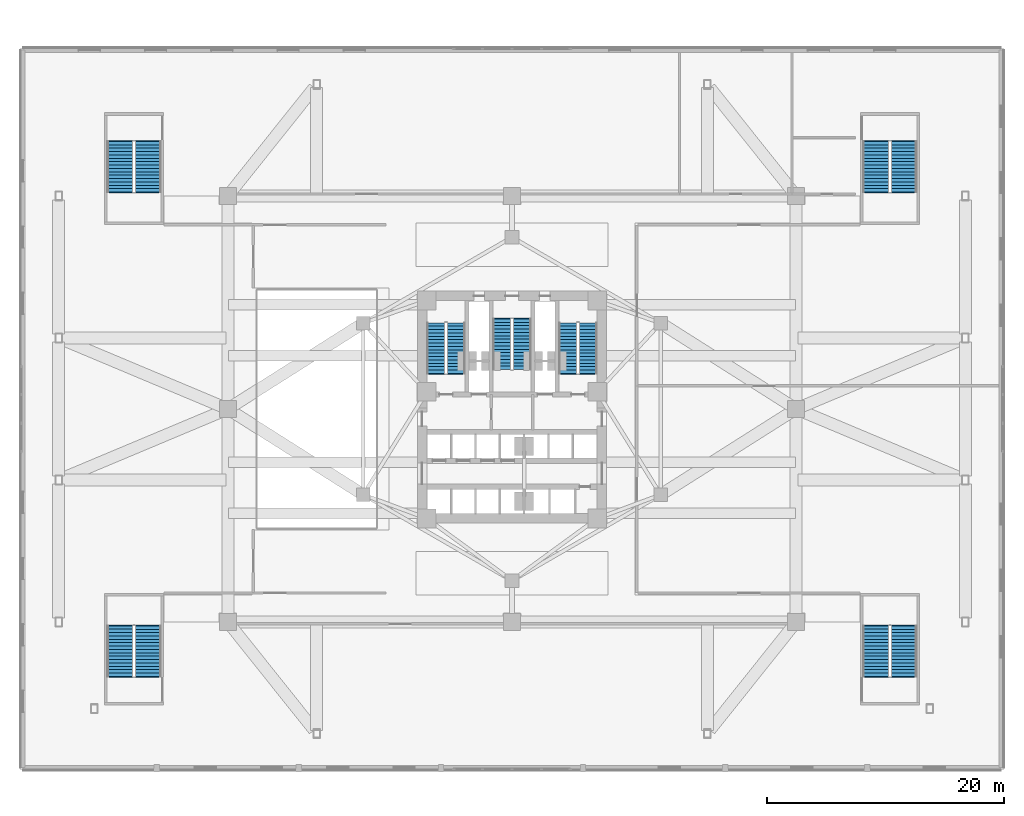
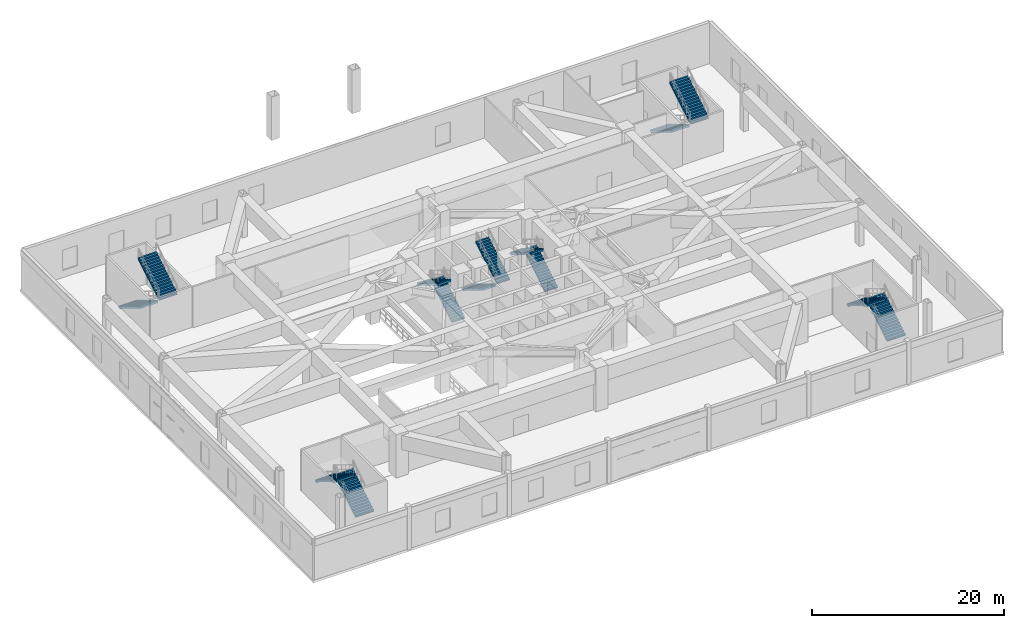
# One storey, part 15 of 23: 14 stair flights, 7 elements without a shape of their own.
"""IFC4 building model written with IfcOpenShell, lengths in metres."""

from ifc_helpers import new_model, si_unit, direction, frame, origin, place, context, subcontext, project, spatial, polyline, outline, extrude, material, type_object, element, aggregate, save


model = new_model("IFC4")

# Units and contexts
model_context = context("Model", 3, precision=1e-05, world=origin(), true_north=direction((0.0, 1.0)))
body_context = subcontext(model_context, "Body", "Model", "MODEL_VIEW")
ifc_project = project(units=[si_unit("LENGTHUNIT", "METRE"), si_unit("AREAUNIT", "SQUARE_METRE"), si_unit("VOLUMEUNIT", "CUBIC_METRE"), si_unit("PLANEANGLEUNIT", "RADIAN"), si_unit("MASSUNIT", "GRAM", prefix="KILO")], contexts=[model_context])

# Site, building, storey
site_placement = place(None, origin())
site = spatial("IfcSite", under=ifc_project, at=site_placement, CompositionType="ELEMENT")
building_placement = place(site_placement, origin())
building = spatial("IfcBuilding", under=site, at=building_placement, Name="Apsidion Concourse Tower", CompositionType="ELEMENT")
storey_placement = place(building_placement, frame((0.0, 0.0, 6.0)))
storey = spatial("IfcBuildingStorey", under=building, at=storey_placement, Name="L01", CompositionType="ELEMENT", Elevation=6.0)

# Stair, stair flights
ifc_material = material(Name="Precast concrete C40/50", Category="concrete")
stair_type_1 = type_object("IfcStairType", Name="ST-DL-1550", PredefinedType="HALF_TURN_STAIR", material=ifc_material)
stair_1_placement = place(storey_placement, origin())
stair_1 = element("IfcStair", 1, at=stair_1_placement, inside=storey, type_object=stair_type_1, Name="L01 Protected Core Exit Stair ST1", PredefinedType="HALF_TURN_STAIR")
stair_flight_type_1 = type_object("IfcStairFlightType", Name="SFL-RC-1550", PredefinedType="STRAIGHT", material=ifc_material)
stair_flight_1_placement = place(storey_placement, frame((-4.72509765625, 3.0, 0.0), z_axis=(0.0, 0.0, 1.0), x_axis=(0.0, 1.0, 0.0)))
stair_flight_1 = element("IfcStairFlight", 2, at=stair_flight_1_placement, type_object=stair_flight_type_1, Name="ST1 flight 1", NumberOfRisers=16, NumberOfTreads=15, PredefinedType="STRAIGHT", RiserHeight=0.171875, TreadLength=0.285, context=body_context, shape_type="SweptSolid", body=[
    extrude(outline(polyline([(-0.080078125, -0.1123046875), (-0.080078125, 0.0), (0.0, 0.0), (0.0, 0.171875), (0.284912109375, 0.171875), (0.284912109375, 0.34375), (0.570068359375, 0.34375), (0.570068359375, 0.515625), (0.85498046875, 0.515625), (0.85498046875, 0.6875), (1.139892578125, 0.6875), (1.139892578125, 0.859375), (1.425048828125, 0.859375), (1.425048828125, 1.03125), (1.7099609375, 1.03125), (1.7099609375, 1.203125), (1.9951171875, 1.203125), (1.9951171875, 1.375), (2.280029296875, 1.375), (2.280029296875, 1.546875), (2.56494140625, 1.546875), (2.56494140625, 1.71875), (2.85009765625, 1.71875), (2.85009765625, 1.890625), (3.135009765625, 1.890625), (3.135009765625, 2.0625), (3.419921875, 2.0625), (3.419921875, 2.234375), (3.705078125, 2.234375), (3.705078125, 2.40625), (3.989990234375, 2.40625), (3.989990234375, 2.578125), (4.27490234375, 2.578125), (4.27490234375, 2.75), (4.35498046875, 2.6640625), (4.35498046875, 2.403076171875), (4.27490234375, 2.403076171875), (0.290283203125, 0.0), (0.290283203125, -0.1123046875), (-0.080078125, -0.1123046875)])), frame((0.0, 0.77490234375, 0.0), z_axis=(0.0, -1.0, 0.0), x_axis=(1.0, 0.0, 0.0)), (0.0, 0.0, 1.0), 1.550048828125),
])
stair_flight_2_placement = place(storey_placement, frame((-6.425048828125, 7.27490234375, 2.75), z_axis=(0.0, 0.0, 1.0), x_axis=(0.0, -1.0, 0.0)))
stair_flight_2 = element("IfcStairFlight", 3, at=stair_flight_2_placement, type_object=stair_flight_type_1, Name="ST1 flight 2", NumberOfRisers=16, NumberOfTreads=15, PredefinedType="STRAIGHT", RiserHeight=0.171875, TreadLength=0.285, context=body_context, shape_type="SweptSolid", body=[
    extrude(outline(polyline([(-0.080078125, -0.1123046875), (-0.080078125, 0.0), (0.0, 0.0), (0.0, 0.171875), (0.284912109375, 0.171875), (0.284912109375, 0.34375), (0.570068359375, 0.34375), (0.570068359375, 0.515625), (0.85498046875, 0.515625), (0.85498046875, 0.6875), (1.139892578125, 0.6875), (1.139892578125, 0.859375), (1.425048828125, 0.859375), (1.425048828125, 1.03125), (1.7099609375, 1.03125), (1.7099609375, 1.203125), (1.9951171875, 1.203125), (1.9951171875, 1.375), (2.280029296875, 1.375), (2.280029296875, 1.546875), (2.56494140625, 1.546875), (2.56494140625, 1.71875), (2.85009765625, 1.71875), (2.85009765625, 1.890625), (3.135009765625, 1.890625), (3.135009765625, 2.0625), (3.419921875, 2.0625), (3.419921875, 2.234375), (3.705078125, 2.234375), (3.705078125, 2.40625), (3.989990234375, 2.40625), (3.989990234375, 2.578125), (4.27490234375, 2.578125), (4.27490234375, 2.75), (4.35498046875, 2.6640625), (4.35498046875, 2.403076171875), (4.27490234375, 2.403076171875), (0.290283203125, 0.0), (0.290283203125, -0.1123046875), (-0.080078125, -0.1123046875)])), frame((0.0, 0.77490234375, 0.0), z_axis=(0.0, -1.0, 0.0), x_axis=(1.0, 0.0, 0.0)), (0.0, 0.0, 1.0), 1.550048828125),
])
aggregate(stair_1, [stair_flight_1, stair_flight_2])

stair_2_placement = place(storey_placement, origin())
stair_2 = element("IfcStair", 4, at=stair_2_placement, inside=storey, type_object=stair_type_1, Name="L01 Protected Core Exit Stair ST2", PredefinedType="HALF_TURN_STAIR")
stair_flight_3_placement = place(storey_placement, frame((6.425048828125, 3.0, 0.0), z_axis=(0.0, 0.0, 1.0), x_axis=(0.0, 1.0, 0.0)))
stair_flight_3 = element("IfcStairFlight", 5, at=stair_flight_3_placement, type_object=stair_flight_type_1, Name="ST2 flight 1", NumberOfRisers=16, NumberOfTreads=15, PredefinedType="STRAIGHT", RiserHeight=0.171875, TreadLength=0.285, context=body_context, shape_type="SweptSolid", body=[
    extrude(outline(polyline([(-0.080078125, -0.1123046875), (-0.080078125, 0.0), (0.0, 0.0), (0.0, 0.171875), (0.284912109375, 0.171875), (0.284912109375, 0.34375), (0.570068359375, 0.34375), (0.570068359375, 0.515625), (0.85498046875, 0.515625), (0.85498046875, 0.6875), (1.139892578125, 0.6875), (1.139892578125, 0.859375), (1.425048828125, 0.859375), (1.425048828125, 1.03125), (1.7099609375, 1.03125), (1.7099609375, 1.203125), (1.9951171875, 1.203125), (1.9951171875, 1.375), (2.280029296875, 1.375), (2.280029296875, 1.546875), (2.56494140625, 1.546875), (2.56494140625, 1.71875), (2.85009765625, 1.71875), (2.85009765625, 1.890625), (3.135009765625, 1.890625), (3.135009765625, 2.0625), (3.419921875, 2.0625), (3.419921875, 2.234375), (3.705078125, 2.234375), (3.705078125, 2.40625), (3.989990234375, 2.40625), (3.989990234375, 2.578125), (4.27490234375, 2.578125), (4.27490234375, 2.75), (4.35498046875, 2.6640625), (4.35498046875, 2.403076171875), (4.27490234375, 2.403076171875), (0.290283203125, 0.0), (0.290283203125, -0.1123046875), (-0.080078125, -0.1123046875)])), frame((0.0, 0.77490234375, 0.0), z_axis=(0.0, -1.0, 0.0), x_axis=(1.0, 0.0, 0.0)), (0.0, 0.0, 1.0), 1.550048828125),
])
stair_flight_4_placement = place(storey_placement, frame((4.72509765625, 7.27490234375, 2.75), z_axis=(0.0, 0.0, 1.0), x_axis=(0.0, -1.0, 0.0)))
stair_flight_4 = element("IfcStairFlight", 6, at=stair_flight_4_placement, type_object=stair_flight_type_1, Name="ST2 flight 2", NumberOfRisers=16, NumberOfTreads=15, PredefinedType="STRAIGHT", RiserHeight=0.171875, TreadLength=0.285, context=body_context, shape_type="SweptSolid", body=[
    extrude(outline(polyline([(-0.080078125, -0.1123046875), (-0.080078125, 0.0), (0.0, 0.0), (0.0, 0.171875), (0.284912109375, 0.171875), (0.284912109375, 0.34375), (0.570068359375, 0.34375), (0.570068359375, 0.515625), (0.85498046875, 0.515625), (0.85498046875, 0.6875), (1.139892578125, 0.6875), (1.139892578125, 0.859375), (1.425048828125, 0.859375), (1.425048828125, 1.03125), (1.7099609375, 1.03125), (1.7099609375, 1.203125), (1.9951171875, 1.203125), (1.9951171875, 1.375), (2.280029296875, 1.375), (2.280029296875, 1.546875), (2.56494140625, 1.546875), (2.56494140625, 1.71875), (2.85009765625, 1.71875), (2.85009765625, 1.890625), (3.135009765625, 1.890625), (3.135009765625, 2.0625), (3.419921875, 2.0625), (3.419921875, 2.234375), (3.705078125, 2.234375), (3.705078125, 2.40625), (3.989990234375, 2.40625), (3.989990234375, 2.578125), (4.27490234375, 2.578125), (4.27490234375, 2.75), (4.35498046875, 2.6640625), (4.35498046875, 2.403076171875), (4.27490234375, 2.403076171875), (0.290283203125, 0.0), (0.290283203125, -0.1123046875), (-0.080078125, -0.1123046875)])), frame((0.0, 0.77490234375, 0.0), z_axis=(0.0, -1.0, 0.0), x_axis=(1.0, 0.0, 0.0)), (0.0, 0.0, 1.0), 1.550048828125),
])
aggregate(stair_2, [stair_flight_3, stair_flight_4])

stair_3_placement = place(storey_placement, origin())
stair_3 = element("IfcStair", 7, at=stair_3_placement, inside=storey, type_object=stair_type_1, Name="L01 Protected Core Exit Stair ST3", PredefinedType="HALF_TURN_STAIR")
stair_flight_5_placement = place(storey_placement, frame((-0.85009765625, 7.60009765625, 0.0), z_axis=(0.0, 0.0, 1.0), x_axis=(0.0, -1.0, 0.0)))
stair_flight_5 = element("IfcStairFlight", 8, at=stair_flight_5_placement, type_object=stair_flight_type_1, Name="ST3 flight 1", NumberOfRisers=16, NumberOfTreads=15, PredefinedType="STRAIGHT", RiserHeight=0.171875, TreadLength=0.285, context=body_context, shape_type="SweptSolid", body=[
    extrude(outline(polyline([(-0.080078125, -0.1123046875), (-0.080078125, 0.0), (0.0, 0.0), (0.0, 0.171875), (0.284912109375, 0.171875), (0.284912109375, 0.34375), (0.570068359375, 0.34375), (0.570068359375, 0.515625), (0.85498046875, 0.515625), (0.85498046875, 0.6875), (1.139892578125, 0.6875), (1.139892578125, 0.859375), (1.425048828125, 0.859375), (1.425048828125, 1.03125), (1.7099609375, 1.03125), (1.7099609375, 1.203125), (1.9951171875, 1.203125), (1.9951171875, 1.375), (2.280029296875, 1.375), (2.280029296875, 1.546875), (2.56494140625, 1.546875), (2.56494140625, 1.71875), (2.85009765625, 1.71875), (2.85009765625, 1.890625), (3.135009765625, 1.890625), (3.135009765625, 2.0625), (3.419921875, 2.0625), (3.419921875, 2.234375), (3.705078125, 2.234375), (3.705078125, 2.40625), (3.989990234375, 2.40625), (3.989990234375, 2.578125), (4.27490234375, 2.578125), (4.27490234375, 2.75), (4.35498046875, 2.6640625), (4.35498046875, 2.403076171875), (4.27490234375, 2.403076171875), (0.290283203125, 0.0), (0.290283203125, -0.1123046875), (-0.080078125, -0.1123046875)])), frame((0.0, 0.77490234375, 0.0), z_axis=(0.0, -1.0, 0.0), x_axis=(1.0, 0.0, 0.0)), (0.0, 0.0, 1.0), 1.550048828125),
])
stair_flight_6_placement = place(storey_placement, frame((0.85009765625, 3.324951171875, 2.75), z_axis=(0.0, 0.0, 1.0), x_axis=(0.0, 1.0, 0.0)))
stair_flight_6 = element("IfcStairFlight", 9, at=stair_flight_6_placement, type_object=stair_flight_type_1, Name="ST3 flight 2", NumberOfRisers=16, NumberOfTreads=15, PredefinedType="STRAIGHT", RiserHeight=0.171875, TreadLength=0.285, context=body_context, shape_type="SweptSolid", body=[
    extrude(outline(polyline([(-0.080078125, -0.1123046875), (-0.080078125, 0.0), (0.0, 0.0), (0.0, 0.171875), (0.284912109375, 0.171875), (0.284912109375, 0.34375), (0.570068359375, 0.34375), (0.570068359375, 0.515625), (0.85498046875, 0.515625), (0.85498046875, 0.6875), (1.139892578125, 0.6875), (1.139892578125, 0.859375), (1.425048828125, 0.859375), (1.425048828125, 1.03125), (1.7099609375, 1.03125), (1.7099609375, 1.203125), (1.9951171875, 1.203125), (1.9951171875, 1.375), (2.280029296875, 1.375), (2.280029296875, 1.546875), (2.56494140625, 1.546875), (2.56494140625, 1.71875), (2.85009765625, 1.71875), (2.85009765625, 1.890625), (3.135009765625, 1.890625), (3.135009765625, 2.0625), (3.419921875, 2.0625), (3.419921875, 2.234375), (3.705078125, 2.234375), (3.705078125, 2.40625), (3.989990234375, 2.40625), (3.989990234375, 2.578125), (4.27490234375, 2.578125), (4.27490234375, 2.75), (4.35498046875, 2.6640625), (4.35498046875, 2.403076171875), (4.27490234375, 2.403076171875), (0.290283203125, 0.0), (0.290283203125, -0.1123046875), (-0.080078125, -0.1123046875)])), frame((0.0, 0.77490234375, 0.0), z_axis=(0.0, -1.0, 0.0), x_axis=(1.0, 0.0, 0.0)), (0.0, 0.0, 1.0), 1.550048828125),
])
aggregate(stair_3, [stair_flight_5, stair_flight_6])

stair_type_2 = type_object("IfcStairType", Name="ST-DL-2200", PredefinedType="HALF_TURN_STAIR", material=ifc_material)
stair_4_placement = place(storey_placement, origin())
stair_4 = element("IfcStair", 10, at=stair_4_placement, inside=storey, type_object=stair_type_2, Name="L01 Podium Convention Exit Stair ST-P1", PredefinedType="HALF_TURN_STAIR")
stair_flight_type_2 = type_object("IfcStairFlightType", Name="SFL-RC-2200", PredefinedType="STRAIGHT", material=ifc_material)
stair_flight_7_placement = place(storey_placement, frame((-30.75, -22.60009765625, 0.0), z_axis=(0.0, 0.0, 1.0), x_axis=(0.0, 1.0, 0.0)))
stair_flight_7 = element("IfcStairFlight", 11, at=stair_flight_7_placement, type_object=stair_flight_type_2, Name="ST-P1 flight 1", NumberOfRisers=16, NumberOfTreads=15, PredefinedType="STRAIGHT", RiserHeight=0.171875, TreadLength=0.285, context=body_context, shape_type="SweptSolid", body=[
    extrude(outline(polyline([(-0.080078125, -0.1123046875), (-0.080078125, 0.0), (0.0, 0.0), (0.0, 0.171875), (0.284912109375, 0.171875), (0.284912109375, 0.34375), (0.570068359375, 0.34375), (0.570068359375, 0.515625), (0.85498046875, 0.515625), (0.85498046875, 0.6875), (1.139892578125, 0.6875), (1.139892578125, 0.859375), (1.425048828125, 0.859375), (1.425048828125, 1.03125), (1.7099609375, 1.03125), (1.7099609375, 1.203125), (1.9951171875, 1.203125), (1.9951171875, 1.375), (2.280029296875, 1.375), (2.280029296875, 1.546875), (2.56494140625, 1.546875), (2.56494140625, 1.71875), (2.85009765625, 1.71875), (2.85009765625, 1.890625), (3.135009765625, 1.890625), (3.135009765625, 2.0625), (3.419921875, 2.0625), (3.419921875, 2.234375), (3.705078125, 2.234375), (3.705078125, 2.40625), (3.989990234375, 2.40625), (3.989990234375, 2.578125), (4.27490234375, 2.578125), (4.27490234375, 2.75), (4.35498046875, 2.6640625), (4.35498046875, 2.403076171875), (4.27490234375, 2.403076171875), (0.290283203125, 0.0), (0.290283203125, -0.1123046875), (-0.080078125, -0.1123046875)])), frame((0.0, 1.10009765625, 0.0), z_axis=(0.0, -1.0, 0.0), x_axis=(1.0, 0.0, 0.0)), (0.0, 0.0, 1.0), 2.199951171875),
])
stair_flight_8_placement = place(storey_placement, frame((-33.10009765625, -18.324951171875, 2.75), z_axis=(0.0, 0.0, 1.0), x_axis=(0.0, -1.0, 0.0)))
stair_flight_8 = element("IfcStairFlight", 12, at=stair_flight_8_placement, type_object=stair_flight_type_2, Name="ST-P1 flight 2", NumberOfRisers=16, NumberOfTreads=15, PredefinedType="STRAIGHT", RiserHeight=0.171875, TreadLength=0.285, context=body_context, shape_type="SweptSolid", body=[
    extrude(outline(polyline([(-0.080078125, -0.1123046875), (-0.080078125, 0.0), (0.0, 0.0), (0.0, 0.171875), (0.284912109375, 0.171875), (0.284912109375, 0.34375), (0.570068359375, 0.34375), (0.570068359375, 0.515625), (0.85498046875, 0.515625), (0.85498046875, 0.6875), (1.139892578125, 0.6875), (1.139892578125, 0.859375), (1.425048828125, 0.859375), (1.425048828125, 1.03125), (1.7099609375, 1.03125), (1.7099609375, 1.203125), (1.9951171875, 1.203125), (1.9951171875, 1.375), (2.280029296875, 1.375), (2.280029296875, 1.546875), (2.56494140625, 1.546875), (2.56494140625, 1.71875), (2.85009765625, 1.71875), (2.85009765625, 1.890625), (3.135009765625, 1.890625), (3.135009765625, 2.0625), (3.419921875, 2.0625), (3.419921875, 2.234375), (3.705078125, 2.234375), (3.705078125, 2.40625), (3.989990234375, 2.40625), (3.989990234375, 2.578125), (4.27490234375, 2.578125), (4.27490234375, 2.75), (4.35498046875, 2.6640625), (4.35498046875, 2.403076171875), (4.27490234375, 2.403076171875), (0.290283203125, 0.0), (0.290283203125, -0.1123046875), (-0.080078125, -0.1123046875)])), frame((0.0, 1.10009765625, 0.0), z_axis=(0.0, -1.0, 0.0), x_axis=(1.0, 0.0, 0.0)), (0.0, 0.0, 1.0), 2.199951171875),
])
aggregate(stair_4, [stair_flight_7, stair_flight_8])

stair_5_placement = place(storey_placement, origin())
stair_5 = element("IfcStair", 13, at=stair_5_placement, inside=storey, type_object=stair_type_2, Name="L01 Podium Convention Exit Stair ST-P2", PredefinedType="HALF_TURN_STAIR")
stair_flight_9_placement = place(storey_placement, frame((33.10009765625, -22.60009765625, 0.0), z_axis=(0.0, 0.0, 1.0), x_axis=(0.0, 1.0, 0.0)))
stair_flight_9 = element("IfcStairFlight", 14, at=stair_flight_9_placement, type_object=stair_flight_type_2, Name="ST-P2 flight 1", NumberOfRisers=16, NumberOfTreads=15, PredefinedType="STRAIGHT", RiserHeight=0.171875, TreadLength=0.285, context=body_context, shape_type="SweptSolid", body=[
    extrude(outline(polyline([(-0.080078125, -0.1123046875), (-0.080078125, 0.0), (0.0, 0.0), (0.0, 0.171875), (0.284912109375, 0.171875), (0.284912109375, 0.34375), (0.570068359375, 0.34375), (0.570068359375, 0.515625), (0.85498046875, 0.515625), (0.85498046875, 0.6875), (1.139892578125, 0.6875), (1.139892578125, 0.859375), (1.425048828125, 0.859375), (1.425048828125, 1.03125), (1.7099609375, 1.03125), (1.7099609375, 1.203125), (1.9951171875, 1.203125), (1.9951171875, 1.375), (2.280029296875, 1.375), (2.280029296875, 1.546875), (2.56494140625, 1.546875), (2.56494140625, 1.71875), (2.85009765625, 1.71875), (2.85009765625, 1.890625), (3.135009765625, 1.890625), (3.135009765625, 2.0625), (3.419921875, 2.0625), (3.419921875, 2.234375), (3.705078125, 2.234375), (3.705078125, 2.40625), (3.989990234375, 2.40625), (3.989990234375, 2.578125), (4.27490234375, 2.578125), (4.27490234375, 2.75), (4.35498046875, 2.6640625), (4.35498046875, 2.403076171875), (4.27490234375, 2.403076171875), (0.290283203125, 0.0), (0.290283203125, -0.1123046875), (-0.080078125, -0.1123046875)])), frame((0.0, 1.10009765625, 0.0), z_axis=(0.0, -1.0, 0.0), x_axis=(1.0, 0.0, 0.0)), (0.0, 0.0, 1.0), 2.199951171875),
])
stair_flight_10_placement = place(storey_placement, frame((30.75, -18.324951171875, 2.75), z_axis=(0.0, 0.0, 1.0), x_axis=(0.0, -1.0, 0.0)))
stair_flight_10 = element("IfcStairFlight", 15, at=stair_flight_10_placement, type_object=stair_flight_type_2, Name="ST-P2 flight 2", NumberOfRisers=16, NumberOfTreads=15, PredefinedType="STRAIGHT", RiserHeight=0.171875, TreadLength=0.285, context=body_context, shape_type="SweptSolid", body=[
    extrude(outline(polyline([(-0.080078125, -0.1123046875), (-0.080078125, 0.0), (0.0, 0.0), (0.0, 0.171875), (0.284912109375, 0.171875), (0.284912109375, 0.34375), (0.570068359375, 0.34375), (0.570068359375, 0.515625), (0.85498046875, 0.515625), (0.85498046875, 0.6875), (1.139892578125, 0.6875), (1.139892578125, 0.859375), (1.425048828125, 0.859375), (1.425048828125, 1.03125), (1.7099609375, 1.03125), (1.7099609375, 1.203125), (1.9951171875, 1.203125), (1.9951171875, 1.375), (2.280029296875, 1.375), (2.280029296875, 1.546875), (2.56494140625, 1.546875), (2.56494140625, 1.71875), (2.85009765625, 1.71875), (2.85009765625, 1.890625), (3.135009765625, 1.890625), (3.135009765625, 2.0625), (3.419921875, 2.0625), (3.419921875, 2.234375), (3.705078125, 2.234375), (3.705078125, 2.40625), (3.989990234375, 2.40625), (3.989990234375, 2.578125), (4.27490234375, 2.578125), (4.27490234375, 2.75), (4.35498046875, 2.6640625), (4.35498046875, 2.403076171875), (4.27490234375, 2.403076171875), (0.290283203125, 0.0), (0.290283203125, -0.1123046875), (-0.080078125, -0.1123046875)])), frame((0.0, 1.10009765625, 0.0), z_axis=(0.0, -1.0, 0.0), x_axis=(1.0, 0.0, 0.0)), (0.0, 0.0, 1.0), 2.199951171875),
])
aggregate(stair_5, [stair_flight_9, stair_flight_10])

stair_6_placement = place(storey_placement, origin())
stair_6 = element("IfcStair", 16, at=stair_6_placement, inside=storey, type_object=stair_type_2, Name="L01 Podium Convention Exit Stair ST-P3", PredefinedType="HALF_TURN_STAIR")
stair_flight_11_placement = place(storey_placement, frame((-33.10009765625, 22.60009765625, 0.0), z_axis=(0.0, 0.0, 1.0), x_axis=(0.0, -1.0, 0.0)))
stair_flight_11 = element("IfcStairFlight", 17, at=stair_flight_11_placement, type_object=stair_flight_type_2, Name="ST-P3 flight 1", NumberOfRisers=16, NumberOfTreads=15, PredefinedType="STRAIGHT", RiserHeight=0.171875, TreadLength=0.285, context=body_context, shape_type="SweptSolid", body=[
    extrude(outline(polyline([(-0.080078125, -0.1123046875), (-0.080078125, 0.0), (0.0, 0.0), (0.0, 0.171875), (0.284912109375, 0.171875), (0.284912109375, 0.34375), (0.570068359375, 0.34375), (0.570068359375, 0.515625), (0.85498046875, 0.515625), (0.85498046875, 0.6875), (1.139892578125, 0.6875), (1.139892578125, 0.859375), (1.425048828125, 0.859375), (1.425048828125, 1.03125), (1.7099609375, 1.03125), (1.7099609375, 1.203125), (1.9951171875, 1.203125), (1.9951171875, 1.375), (2.280029296875, 1.375), (2.280029296875, 1.546875), (2.56494140625, 1.546875), (2.56494140625, 1.71875), (2.85009765625, 1.71875), (2.85009765625, 1.890625), (3.135009765625, 1.890625), (3.135009765625, 2.0625), (3.419921875, 2.0625), (3.419921875, 2.234375), (3.705078125, 2.234375), (3.705078125, 2.40625), (3.989990234375, 2.40625), (3.989990234375, 2.578125), (4.27490234375, 2.578125), (4.27490234375, 2.75), (4.35498046875, 2.6640625), (4.35498046875, 2.403076171875), (4.27490234375, 2.403076171875), (0.290283203125, 0.0), (0.290283203125, -0.1123046875), (-0.080078125, -0.1123046875)])), frame((0.0, 1.10009765625, 0.0), z_axis=(0.0, -1.0, 0.0), x_axis=(1.0, 0.0, 0.0)), (0.0, 0.0, 1.0), 2.199951171875),
])
stair_flight_12_placement = place(storey_placement, frame((-30.75, 18.324951171875, 2.75), z_axis=(0.0, 0.0, 1.0), x_axis=(0.0, 1.0, 0.0)))
stair_flight_12 = element("IfcStairFlight", 18, at=stair_flight_12_placement, type_object=stair_flight_type_2, Name="ST-P3 flight 2", NumberOfRisers=16, NumberOfTreads=15, PredefinedType="STRAIGHT", RiserHeight=0.171875, TreadLength=0.285, context=body_context, shape_type="SweptSolid", body=[
    extrude(outline(polyline([(-0.080078125, -0.1123046875), (-0.080078125, 0.0), (0.0, 0.0), (0.0, 0.171875), (0.284912109375, 0.171875), (0.284912109375, 0.34375), (0.570068359375, 0.34375), (0.570068359375, 0.515625), (0.85498046875, 0.515625), (0.85498046875, 0.6875), (1.139892578125, 0.6875), (1.139892578125, 0.859375), (1.425048828125, 0.859375), (1.425048828125, 1.03125), (1.7099609375, 1.03125), (1.7099609375, 1.203125), (1.9951171875, 1.203125), (1.9951171875, 1.375), (2.280029296875, 1.375), (2.280029296875, 1.546875), (2.56494140625, 1.546875), (2.56494140625, 1.71875), (2.85009765625, 1.71875), (2.85009765625, 1.890625), (3.135009765625, 1.890625), (3.135009765625, 2.0625), (3.419921875, 2.0625), (3.419921875, 2.234375), (3.705078125, 2.234375), (3.705078125, 2.40625), (3.989990234375, 2.40625), (3.989990234375, 2.578125), (4.27490234375, 2.578125), (4.27490234375, 2.75), (4.35498046875, 2.6640625), (4.35498046875, 2.403076171875), (4.27490234375, 2.403076171875), (0.290283203125, 0.0), (0.290283203125, -0.1123046875), (-0.080078125, -0.1123046875)])), frame((0.0, 1.10009765625, 0.0), z_axis=(0.0, -1.0, 0.0), x_axis=(1.0, 0.0, 0.0)), (0.0, 0.0, 1.0), 2.199951171875),
])
aggregate(stair_6, [stair_flight_11, stair_flight_12])

stair_7_placement = place(storey_placement, origin())
stair_7 = element("IfcStair", 19, at=stair_7_placement, inside=storey, type_object=stair_type_2, Name="L01 Podium Convention Exit Stair ST-P4", PredefinedType="HALF_TURN_STAIR")
stair_flight_13_placement = place(storey_placement, frame((30.75, 22.60009765625, 0.0), z_axis=(0.0, 0.0, 1.0), x_axis=(0.0, -1.0, 0.0)))
stair_flight_13 = element("IfcStairFlight", 20, at=stair_flight_13_placement, type_object=stair_flight_type_2, Name="ST-P4 flight 1", NumberOfRisers=16, NumberOfTreads=15, PredefinedType="STRAIGHT", RiserHeight=0.171875, TreadLength=0.285, context=body_context, shape_type="SweptSolid", body=[
    extrude(outline(polyline([(-0.080078125, -0.1123046875), (-0.080078125, 0.0), (0.0, 0.0), (0.0, 0.171875), (0.284912109375, 0.171875), (0.284912109375, 0.34375), (0.570068359375, 0.34375), (0.570068359375, 0.515625), (0.85498046875, 0.515625), (0.85498046875, 0.6875), (1.139892578125, 0.6875), (1.139892578125, 0.859375), (1.425048828125, 0.859375), (1.425048828125, 1.03125), (1.7099609375, 1.03125), (1.7099609375, 1.203125), (1.9951171875, 1.203125), (1.9951171875, 1.375), (2.280029296875, 1.375), (2.280029296875, 1.546875), (2.56494140625, 1.546875), (2.56494140625, 1.71875), (2.85009765625, 1.71875), (2.85009765625, 1.890625), (3.135009765625, 1.890625), (3.135009765625, 2.0625), (3.419921875, 2.0625), (3.419921875, 2.234375), (3.705078125, 2.234375), (3.705078125, 2.40625), (3.989990234375, 2.40625), (3.989990234375, 2.578125), (4.27490234375, 2.578125), (4.27490234375, 2.75), (4.35498046875, 2.6640625), (4.35498046875, 2.403076171875), (4.27490234375, 2.403076171875), (0.290283203125, 0.0), (0.290283203125, -0.1123046875), (-0.080078125, -0.1123046875)])), frame((0.0, 1.10009765625, 0.0), z_axis=(0.0, -1.0, 0.0), x_axis=(1.0, 0.0, 0.0)), (0.0, 0.0, 1.0), 2.199951171875),
])
stair_flight_14_placement = place(storey_placement, frame((33.10009765625, 18.324951171875, 2.75), z_axis=(0.0, 0.0, 1.0), x_axis=(0.0, 1.0, 0.0)))
stair_flight_14 = element("IfcStairFlight", 21, at=stair_flight_14_placement, type_object=stair_flight_type_2, Name="ST-P4 flight 2", NumberOfRisers=16, NumberOfTreads=15, PredefinedType="STRAIGHT", RiserHeight=0.171875, TreadLength=0.285, context=body_context, shape_type="SweptSolid", body=[
    extrude(outline(polyline([(-0.080078125, -0.1123046875), (-0.080078125, 0.0), (0.0, 0.0), (0.0, 0.171875), (0.284912109375, 0.171875), (0.284912109375, 0.34375), (0.570068359375, 0.34375), (0.570068359375, 0.515625), (0.85498046875, 0.515625), (0.85498046875, 0.6875), (1.139892578125, 0.6875), (1.139892578125, 0.859375), (1.425048828125, 0.859375), (1.425048828125, 1.03125), (1.7099609375, 1.03125), (1.7099609375, 1.203125), (1.9951171875, 1.203125), (1.9951171875, 1.375), (2.280029296875, 1.375), (2.280029296875, 1.546875), (2.56494140625, 1.546875), (2.56494140625, 1.71875), (2.85009765625, 1.71875), (2.85009765625, 1.890625), (3.135009765625, 1.890625), (3.135009765625, 2.0625), (3.419921875, 2.0625), (3.419921875, 2.234375), (3.705078125, 2.234375), (3.705078125, 2.40625), (3.989990234375, 2.40625), (3.989990234375, 2.578125), (4.27490234375, 2.578125), (4.27490234375, 2.75), (4.35498046875, 2.6640625), (4.35498046875, 2.403076171875), (4.27490234375, 2.403076171875), (0.290283203125, 0.0), (0.290283203125, -0.1123046875), (-0.080078125, -0.1123046875)])), frame((0.0, 1.10009765625, 0.0), z_axis=(0.0, -1.0, 0.0), x_axis=(1.0, 0.0, 0.0)), (0.0, 0.0, 1.0), 2.199951171875),
])
aggregate(stair_7, [stair_flight_13, stair_flight_14])

save(model, "model.ifc")
